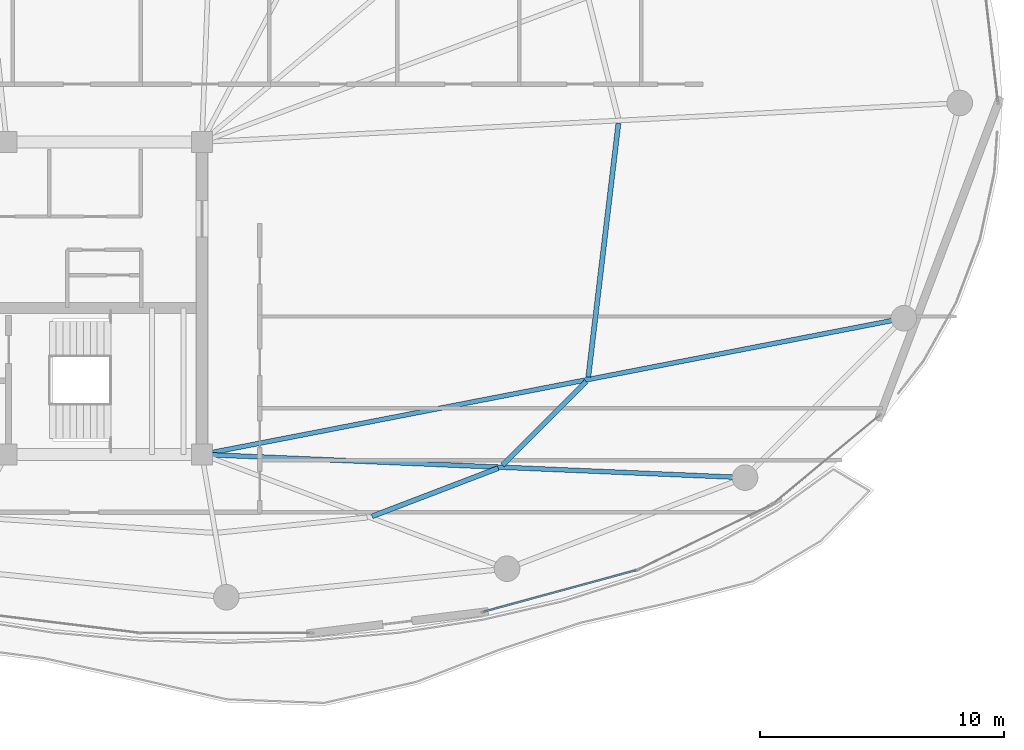
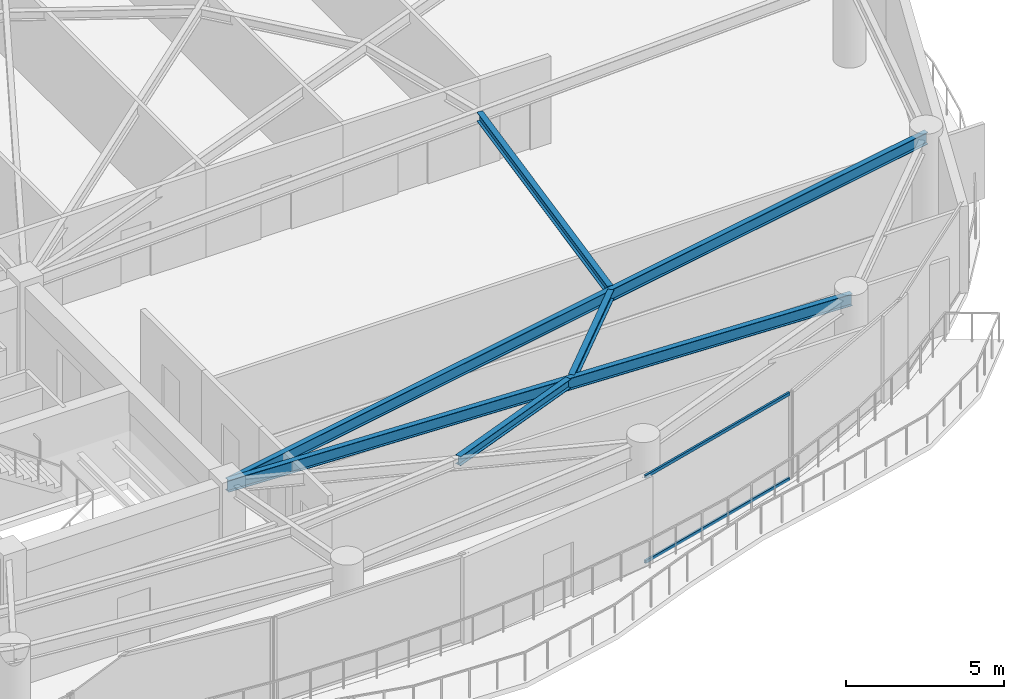
# One storey, part 12 of 31: 5 beams, 2 members, 1 element without a shape of its own.
"""IFC4 building model written with IfcOpenShell, lengths in metres."""

from ifc_helpers import new_model, si_unit, direction, frame, origin, origin_2d, place, context, subcontext, project, spatial, hollow_rectangle, i_section, extrude, material, layer, layer_set, material_profile, profile_set, type_object, element, aggregate, save


model = new_model("IFC4")

# Units and contexts
model_context = context("Model", 3, precision=1e-05, world=origin(), true_north=direction((0.0, 1.0)))
body_context = subcontext(model_context, "Body", "Model", "MODEL_VIEW")
ifc_project = project(units=[si_unit("LENGTHUNIT", "METRE"), si_unit("AREAUNIT", "SQUARE_METRE"), si_unit("VOLUMEUNIT", "CUBIC_METRE"), si_unit("PLANEANGLEUNIT", "RADIAN"), si_unit("MASSUNIT", "GRAM", prefix="KILO")], contexts=[model_context])

# Site, building, storey
site_placement = place(None, origin())
site = spatial("IfcSite", under=ifc_project, at=site_placement, CompositionType="ELEMENT")
building_placement = place(site_placement, origin())
building = spatial("IfcBuilding", under=site, at=building_placement, Name="Kazevale Care Tower and Concert Hall", CompositionType="ELEMENT")
storey_placement = place(building_placement, frame((0.0, 0.0, 202.800048828125)))
storey = spatial("IfcBuildingStorey", under=building, at=storey_placement, Name="L53", CompositionType="ELEMENT", Elevation=202.800048828125)

# Curtain wall, members
ifc_material_1 = material(Name="Aluminium 6063-T6 and Low-E Glass", Category="aluminium")
ifc_layer = layer(ifc_material_1, 0.179931640625)
ifc_layer_set = layer_set([ifc_layer], Name="Aluminium 6063-T6 and Low-E Glass")
curtain_wall_type = type_object("IfcCurtainWallType", Name="Sheltered Concave Balcony Curtain Wall CW-5", PredefinedType="NOTDEFINED", material=ifc_layer_set)
curtain_wall_placement = place(storey_placement, origin())
curtain_wall = element("IfcCurtainWall", 1, at=curtain_wall_placement, inside=storey, type_object=curtain_wall_type, Name="cw:L53:f04", PredefinedType="NOTDEFINED")
ifc_material_2 = material(Name="Aluminium 6063-T6", Category="aluminium")
ifc_material_profile_1 = material_profile(ifc_material_2, hollow_rectangle(XDim=0.074951171875, YDim=0.1201171875, WallThickness=0.00390625, at=origin_2d()), Name="ALU75x120x4")
ifc_profile_set_1 = profile_set([ifc_material_profile_1], Name="Aluminium 6063-T6")
member_type = type_object("IfcMemberType", Name="CW-5 Transom ALU75x120x4", PredefinedType="USERDEFINED", material=ifc_profile_set_1)
member_1_placement = place(storey_placement, frame((61.78369140625, 18.853271484375, 0.037353515625), z_axis=(-0.964843890632, -0.262823641842, 0.0), x_axis=(0.262823641842, -0.964843890632, 0.0)))
member_1 = element("IfcMember", 2, at=member_1_placement, type_object=member_type, Name="CW-5 transom 1.1", ObjectType="TRANSOM", PredefinedType="USERDEFINED", context=body_context, shape_type="SweptSolid", body=[
    extrude(hollow_rectangle(XDim=0.074951171875, YDim=0.1201171875, WallThickness=0.00390625, at=origin_2d()), origin(), (0.0, 0.0, 1.0), 6.469970703125),
])
member_2_placement = place(storey_placement, frame((61.78369140625, 18.853271484375, 3.322509765625), z_axis=(-0.964843890632, -0.262823641842, 0.0), x_axis=(0.262823641842, -0.964843890632, 0.0)))
member_2 = element("IfcMember", 3, at=member_2_placement, type_object=member_type, Name="CW-5 transom 1.2", ObjectType="TRANSOM", PredefinedType="USERDEFINED", context=body_context, shape_type="SweptSolid", body=[
    extrude(hollow_rectangle(XDim=0.074951171875, YDim=0.1201171875, WallThickness=0.00390625, at=origin_2d()), origin(), (0.0, 0.0, 1.0), 6.469970703125),
])
aggregate(curtain_wall, [member_1, member_2])

# Beams
ifc_material_3 = material(Name="Steel ASTM A572 Gr 50", Category="steel")
ifc_material_profile_2 = material_profile(ifc_material_3, i_section(OverallWidth=0.19091796875, OverallDepth=0.4599609375, WebThickness=0.010009765625, FlangeThickness=0.01611328125, at=origin_2d()), Name="W460x82")
ifc_profile_set_2 = profile_set([ifc_material_profile_2], Name="Steel ASTM A572 Gr 50")
beam_type_1 = type_object("IfcBeamType", Name="Radial Floor Beam W460x82", PredefinedType="BEAM", material=ifc_profile_set_2)
beam_1_placement = place(storey_placement, frame((44.0, 23.60009765625, 3.1298828125), z_axis=(0.999089369477, -0.042666518456, 0.0), x_axis=(0.042666518456, 0.999089369477, 0.0)))
element("IfcBeam", 4, at=beam_1_placement, inside=storey, type_object=beam_type_1, Name="beam:L53:rad:15", PredefinedType="BEAM", context=body_context, shape_type="SweptSolid", body=[
    extrude(i_section(OverallWidth=0.19091796875, OverallDepth=0.4599609375, WebThickness=0.010009765625, FlangeThickness=0.01611328125, at=origin_2d()), origin(), (0.0, 0.0, 1.0), 22.270263671875),
])
beam_2_placement = place(storey_placement, frame((44.0, 23.60009765625, 3.1298828125), z_axis=(0.981694544574, 0.190462125247, 0.0), x_axis=(-0.190462125247, 0.981694544574, 0.0)))
element("IfcBeam", 5, at=beam_2_placement, inside=storey, type_object=beam_type_1, Name="beam:L53:rad:16", PredefinedType="BEAM", context=body_context, shape_type="SweptSolid", body=[
    extrude(i_section(OverallWidth=0.19091796875, OverallDepth=0.4599609375, WebThickness=0.010009765625, FlangeThickness=0.01611328125, at=origin_2d()), origin(), (0.0, 0.0, 1.0), 29.29638671875),
])
ifc_material_profile_3 = material_profile(ifc_material_3, i_section(OverallWidth=0.205078125, OverallDepth=0.35400390625, WebThickness=0.009521484375, FlangeThickness=0.016845703125, at=origin_2d()), Name="W360x79")
ifc_profile_set_3 = profile_set([ifc_material_profile_3], Name="Steel ASTM A572 Gr 50")
beam_type_2 = type_object("IfcBeamType", Name="Secondary Floor Joist W360x79", PredefinedType="JOIST", material=ifc_profile_set_3)
beam_3_placement = place(storey_placement, frame((50.972900390625, 21.06396484375, 3.182861328125), z_axis=(0.934001589337, 0.35726884991, 0.0), x_axis=(-0.35726884991, 0.934001589337, 0.0)))
element("IfcBeam", 6, at=beam_3_placement, inside=storey, type_object=beam_type_2, Name="beam:L53:joist:14", PredefinedType="JOIST", context=body_context, shape_type="SweptSolid", body=[
    extrude(i_section(OverallWidth=0.205078125, OverallDepth=0.35400390625, WebThickness=0.009521484375, FlangeThickness=0.016845703125, at=origin_2d()), origin(), (0.0, 0.0, 1.0), 5.531005859375),
])
beam_4_placement = place(storey_placement, frame((56.31201171875, 23.152099609375, 3.182861328125), z_axis=(0.705975874919, 0.708235881633, 0.0), x_axis=(-0.708235881633, 0.705975874919, 0.0)))
element("IfcBeam", 7, at=beam_4_placement, inside=storey, type_object=beam_type_2, Name="beam:L53:joist:15", PredefinedType="JOIST", context=body_context, shape_type="SweptSolid", body=[
    extrude(i_section(OverallWidth=0.205078125, OverallDepth=0.35400390625, WebThickness=0.009521484375, FlangeThickness=0.016845703125, at=origin_2d()), origin(), (0.0, 0.0, 1.0), 4.861083984375),
])
beam_5_placement = place(storey_placement, frame((59.830078125, 26.77294921875, 3.182861328125), z_axis=(0.117874218468, 0.993028533639, 0.0), x_axis=(-0.993028533639, 0.117874218468, 0.0)))
element("IfcBeam", 8, at=beam_5_placement, inside=storey, type_object=beam_type_2, Name="beam:L53:joist:16", PredefinedType="JOIST", context=body_context, shape_type="SweptSolid", body=[
    extrude(i_section(OverallWidth=0.205078125, OverallDepth=0.35400390625, WebThickness=0.009521484375, FlangeThickness=0.016845703125, at=origin_2d()), origin(), (0.0, 0.0, 1.0), 10.47607421875),
])

save(model, "model.ifc")
